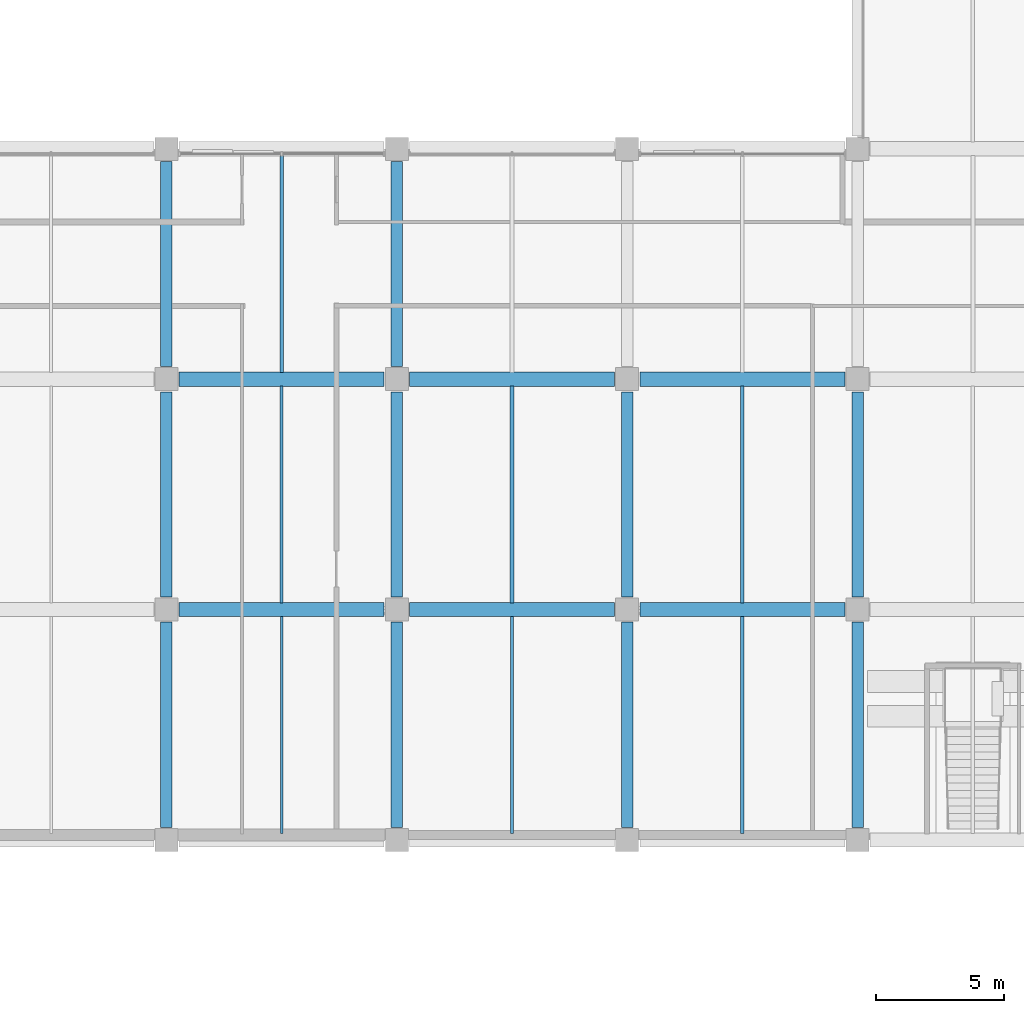
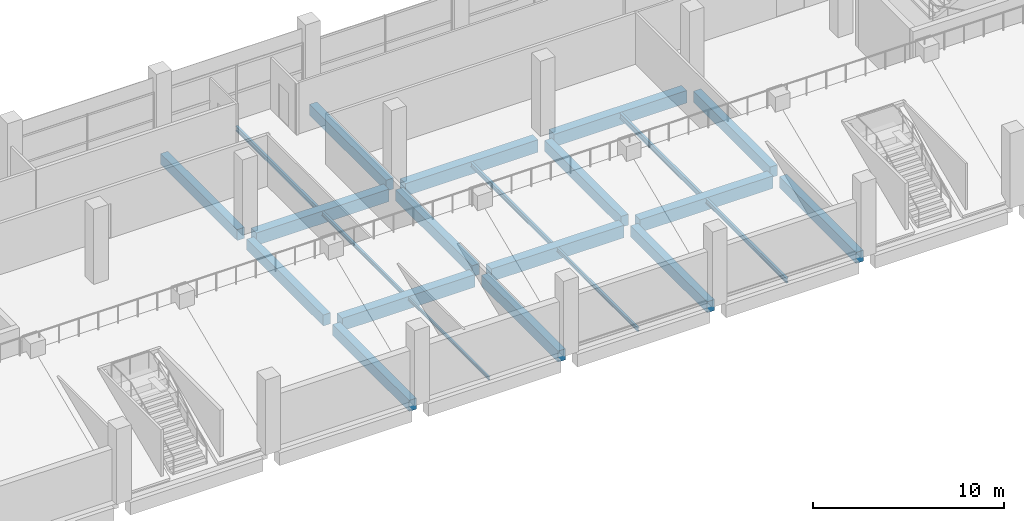
# One storey, part 33 of 100: 23 beams.
"""IFC4 building model written with IfcOpenShell, lengths in metres."""

import ifcopenshell
import ifcopenshell.guid

model = None  # the IFC model being written
_history = None  # IfcOwnerHistory: only IFC2X3 demands one
_inside = {}  # id of a spatial element -> (the spatial element, [elements in it])
_under = {}  # id of a project, library or spatial element -> (it, [spatial elements below it])
_declared = {}  # id of a project -> (the project, [libraries it declares])
_typed = {}  # id of a type object -> (the type object, [elements of that type])
_made_of = {}  # id of a material, layer set ... -> (it, [elements and type objects made of it])


def new_model(schema):
    """Start an empty IFC model of exactly this schema.

    Asked for "IFC4X3", IfcOpenShell would pick the latest addendum, in which some entities
    have other attributes; the version numbers below select the first issue.
    IFC2X3 requires an IfcOwnerHistory on every rooted entity: one is made here for all.
    """
    global model, _history
    if schema == "IFC4X3":
        model = ifcopenshell.file(schema_version=(4, 3, 0, 0))
    else:
        model = ifcopenshell.file(schema=schema)
    _inside.clear()
    _under.clear()
    _declared.clear()
    _typed.clear()
    _made_of.clear()
    _history = None
    if model.schema == "IFC2X3":
        org = make("IfcOrganization", Name="unknown")
        user = make(
            "IfcPersonAndOrganization",
            ThePerson=make("IfcPerson", FamilyName="unknown"),
            TheOrganization=org,
        )
        app = make(
            "IfcApplication",
            ApplicationDeveloper=org,
            Version="unknown",
            ApplicationFullName="unknown",
            ApplicationIdentifier="unknown",
        )
        _history = make(
            "IfcOwnerHistory",
            OwningUser=user,
            OwningApplication=app,
            ChangeAction="ADDED",
            CreationDate=0,
        )
    return model


def make(cls, **values):
    """One entity of the class cls with the attributes given. An attribute that is None is left unset."""
    return model.create_entity(
        cls, **{name: value for name, value in values.items() if value is not None}
    )


def rooted(cls, **values):
    """An entity with a GlobalId (a new one), such as an element, a storey or a relation."""
    return make(cls, GlobalId=ifcopenshell.guid.new(), OwnerHistory=_history, **values)


def si_unit(unit_type, name, prefix=None):
    """IfcSIUnit, for example si_unit("LENGTHUNIT", "METRE", prefix="MILLI")."""
    return make("IfcSIUnit", UnitType=unit_type, Prefix=prefix, Name=name)


def assignment(units):
    """IfcUnitAssignment: the units of a project."""
    return None if units is None else make("IfcUnitAssignment", Units=units)


def point(xyz):
    """IfcCartesianPoint."""
    return None if xyz is None else make("IfcCartesianPoint", Coordinates=xyz)


def direction(xyz):
    """IfcDirection."""
    return None if xyz is None else make("IfcDirection", DirectionRatios=xyz)


def frame(location, z_axis=None, x_axis=None):
    """IfcAxis2Placement3D, a coordinate frame: its origin and axes. An axis left out is left unset."""
    return make(
        "IfcAxis2Placement3D",
        Location=point(location),
        Axis=direction(z_axis),
        RefDirection=direction(x_axis),
    )


def frame_2d(location, x_axis=None):
    """IfcAxis2Placement2D, a coordinate frame in the plane: its origin and x axis."""
    return make(
        "IfcAxis2Placement2D", Location=point(location), RefDirection=direction(x_axis)
    )


def origin():
    """The frame at (0, 0, 0) with its axes left unset."""
    return frame((0.0, 0.0, 0.0))


def origin_2d():
    """The frame at (0, 0) in the plane with its x axis left unset."""
    return frame_2d((0.0, 0.0))


def place(relative_to, where):
    """IfcLocalPlacement: puts the frame where relative to a parent placement (None: the world)."""
    return make(
        "IfcLocalPlacement", PlacementRelTo=relative_to, RelativePlacement=where
    )


def context(
    kind, dimensions, precision=None, world=None, true_north=None, identifier=None
):
    """IfcGeometricRepresentationContext, for example the 3D "Model" context."""
    return make(
        "IfcGeometricRepresentationContext",
        ContextIdentifier=identifier,
        ContextType=kind,
        CoordinateSpaceDimension=dimensions,
        Precision=precision,
        WorldCoordinateSystem=world,
        TrueNorth=true_north,
    )


def subcontext(parent, identifier, kind, view, scale=None):
    """IfcGeometricRepresentationSubContext, for example "Body" below "Model"."""
    return make(
        "IfcGeometricRepresentationSubContext",
        ContextIdentifier=identifier,
        ContextType=kind,
        ParentContext=parent,
        TargetScale=scale,
        TargetView=view,
    )


def project(units=None, contexts=None):
    """IfcProject with its units and contexts."""
    return rooted(
        "IfcProject",
        Name="project",
        RepresentationContexts=contexts,
        UnitsInContext=assignment(units),
    )


def spatial(cls, under=None, at=None, **own):
    """A site, building, storey or space (cls), placed at a placement, below another one or the project."""
    s = rooted(cls, ObjectPlacement=at, **own)
    if under is not None:
        _under.setdefault(under.id(), (under, []))[1].append(s)
    return s


def profile(cls, at=None, kind="AREA", **sizes):
    """A parametric profile (cls). Its sizes go by their IFC names, for example OverallWidth=200.0."""
    return make(cls, ProfileType=kind, Position=at, **sizes)


def rectangle(**sizes):
    """IfcRectangleProfileDef."""
    return profile("IfcRectangleProfileDef", **sizes)


def i_section(**sizes):
    """IfcIShapeProfileDef."""
    return profile("IfcIShapeProfileDef", **sizes)


def extrude(swept, where, along, depth):
    """IfcExtrudedAreaSolid: the profile swept, set in the frame where, extruded along a direction by depth."""
    return make(
        "IfcExtrudedAreaSolid",
        SweptArea=swept,
        Position=where,
        ExtrudedDirection=direction(along),
        Depth=depth,
    )


def shape(context_of_items, identifier, shape_type, items):
    """IfcShapeRepresentation: the items that make up one representation, for example the "Body"."""
    return make(
        "IfcShapeRepresentation",
        ContextOfItems=context_of_items,
        RepresentationIdentifier=identifier,
        RepresentationType=shape_type,
        Items=items,
    )


def material(Name=None, Category=None):
    """IfcMaterial."""
    return make("IfcMaterial", Name=Name, Category=Category)


def material_profile(
    of_material, cross_section, Name=None, Category=None, Priority=None
):
    """IfcMaterialProfile: a cross section and its material."""
    return make(
        "IfcMaterialProfile",
        Name=Name,
        Material=of_material,
        Profile=cross_section,
        Priority=Priority,
        Category=Category,
    )


def profile_set(profiles, Name=None, composite=None):
    """IfcMaterialProfileSet."""
    return make(
        "IfcMaterialProfileSet",
        Name=Name,
        MaterialProfiles=profiles,
        CompositeProfile=composite,
    )


def made_of(thing, what):
    """Note that an element or type object is made of a material, layer set ...; save() writes the relation."""
    if what is not None:
        _made_of.setdefault(what.id(), (what, []))[1].append(thing)
    return thing


def type_object(cls, material=None, **own):
    """A type object (cls), such as IfcWallType, which elements share."""
    return made_of(rooted(cls, **own), material)


def element(
    cls,
    number,
    at=None,
    inside=None,
    cuts=None,
    type_object=None,
    material=None,
    context=None,
    identifier="Body",
    shape_type=None,
    held_by="IfcProductDefinitionShape",
    body=None,
    shapes=None,
    **own,
):
    """One element of the class cls, such as IfcWall. Its Tag is "e" and its number.

    at: its placement. inside: the storey or other place that contains it. cuts: it is an
    opening in that element (IfcRelVoidsElement). A single representation is given by context,
    identifier, shape_type and body (its items); several are given by shapes. held_by: the class
    of the entity that holds the representations. save() writes the other relations.
    """
    e = rooted(cls, Tag="e%d" % number, ObjectPlacement=at, **own)
    if body is not None:
        shapes = [shape(context, identifier, shape_type, body)]
    if shapes is not None:
        e.Representation = make(held_by, Representations=shapes)
    if inside is not None:
        _inside.setdefault(inside.id(), (inside, []))[1].append(e)
    if cuts is not None:
        rooted(
            "IfcRelVoidsElement", RelatingBuildingElement=cuts, RelatedOpeningElement=e
        )
    if type_object is not None:
        _typed.setdefault(type_object.id(), (type_object, []))[1].append(e)
    return made_of(e, material)


def aggregate(whole, parts):
    """IfcRelAggregates: a whole, such as a stair, and the parts it consists of."""
    return rooted("IfcRelAggregates", RelatingObject=whole, RelatedObjects=parts)


def save(model, path):
    """Write the relations noted so far, then the file.

    IfcRelAggregates (storeys below a building ...), IfcRelContainedInSpatialStructure (elements
    in a storey), IfcRelDefinesByType, IfcRelAssociatesMaterial and IfcRelDeclares: one each for
    every whole, place, type object, material and project.
    """
    for whole, parts in _under.values():
        aggregate(whole, parts)
    for where, things in _inside.values():
        rooted(
            "IfcRelContainedInSpatialStructure",
            RelatedElements=things,
            RelatingStructure=where,
        )
    for kind, things in _typed.values():
        rooted("IfcRelDefinesByType", RelatedObjects=things, RelatingType=kind)
    for what, things in _made_of.values():
        rooted("IfcRelAssociatesMaterial", RelatedObjects=things, RelatingMaterial=what)
    for by, libraries in _declared.values():
        rooted("IfcRelDeclares", RelatingContext=by, RelatedDefinitions=libraries)
    model.write(path)


model = new_model("IFC4")

# Units and contexts
model_context = context("Model", 3, precision=1e-05, world=origin(), true_north=direction((0.0, 1.0)))
body_context = subcontext(model_context, "Body", "Model", "MODEL_VIEW")
ifc_project = project(units=[si_unit("LENGTHUNIT", "METRE"), si_unit("AREAUNIT", "SQUARE_METRE"), si_unit("VOLUMEUNIT", "CUBIC_METRE"), si_unit("PLANEANGLEUNIT", "RADIAN"), si_unit("MASSUNIT", "GRAM", prefix="KILO"), si_unit("THERMODYNAMICTEMPERATUREUNIT", "KELVIN"), si_unit("POWERUNIT", "WATT")], contexts=[model_context])

# Site, building, storey
site_placement = place(None, origin())
site = spatial("IfcSite", under=ifc_project, at=site_placement, CompositionType="ELEMENT")
building_placement = place(site_placement, origin())
building = spatial("IfcBuilding", under=site, at=building_placement, Name="Sindhuravela Promenade Stadium", CompositionType="ELEMENT")
storey_placement = place(building_placement, frame((0.0, 0.0, 4.800048828125)))
storey = spatial("IfcBuildingStorey", under=building, at=storey_placement, Name="L01", CompositionType="ELEMENT", Elevation=4.800048828125)

# Beams
ifc_material_1 = material(Name="Concrete M40", Category="concrete")
ifc_material_profile_1 = material_profile(ifc_material_1, rectangle(XDim=0.449951171875, YDim=0.699951171875, at=origin_2d()), Name="RC 450x700")
ifc_profile_set_1 = profile_set([ifc_material_profile_1], Name="Concrete M40")
beam_type_1 = type_object("IfcBeamType", Name="RC-BM-450x700", PredefinedType="BEAM", material=ifc_profile_set_1)
for number, where, z_axis, x_axis, name in (
    (1, (99.0, 126.489990234375, -0.650146484375), (0.0, 1.0, 0.0), (-1.0, 0.0, 0.0), "Primary beam GB07 NORTH L01"),
    (2, (99.0, 135.489990234375, -0.650146484375), (0.0, 1.0, 0.0), (-1.0, 0.0, 0.0), "Primary beam GB07 NORTH L01"),
    (3, (99.0, 144.489990234375, -0.650146484375), (0.0, 1.0, 0.0), (-1.0, 0.0, 0.0), "Primary beam GB07 NORTH L01"),
    (4, (108.0, 126.489990234375, -0.650146484375), (0.0, 1.0, 0.0), (-1.0, 0.0, 0.0), "Primary beam GB07 NORTH L01"),
    (5, (108.0, 135.489990234375, -0.650146484375), (0.0, 1.0, 0.0), (-1.0, 0.0, 0.0), "Primary beam GB07 NORTH L01"),
    (6, (108.0, 144.489990234375, -0.650146484375), (0.0, 1.0, 0.0), (-1.0, 0.0, 0.0), "Primary beam GB07 NORTH L01"),
    (7, (117.0, 126.489990234375, -0.650146484375), (0.0, 1.0, 0.0), (-1.0, 0.0, 0.0), "Primary beam GB07 NORTH L01"),
    (8, (117.0, 135.489990234375, -0.650146484375), (0.0, 1.0, 0.0), (-1.0, 0.0, 0.0), "Primary beam GB07 NORTH L01"),
    (9, (126.0, 126.489990234375, -0.650146484375), (0.0, 1.0, 0.0), (-1.0, 0.0, 0.0), "Primary beam GB07 NORTH L01"),
    (10, (126.0, 135.489990234375, -0.650146484375), (0.0, 1.0, 0.0), (-1.0, 0.0, 0.0), "Primary beam GB07 NORTH L01"),
):
    element("IfcBeam", number, at=place(storey_placement, frame(where, z_axis=z_axis, x_axis=x_axis)), inside=storey, type_object=beam_type_1, Name=name, PredefinedType="BEAM", context=body_context, shape_type="SweptSolid", body=[
        extrude(rectangle(XDim=0.449951171875, YDim=0.699951171875, at=origin_2d()), origin(), (0.0, 0.0, 1.0), 8.02001953125),
    ])
ifc_material_profile_2 = material_profile(ifc_material_1, rectangle(XDim=0.550048828125, YDim=0.800048828125, at=origin_2d()), Name="RC 550x800")
ifc_profile_set_2 = profile_set([ifc_material_profile_2], Name="Concrete M40")
beam_type_2 = type_object("IfcBeamType", Name="RC-BM-550x800", PredefinedType="BEAM", material=ifc_profile_set_2)
for number, where, z_axis, x_axis, name in (
    (11, (99.489990234375, 135.0, -0.699951171875), (1.0, 0.0, 0.0), (0.0, 1.0, 0.0), "Primary girder GB05 NORTH L01"),
    (12, (108.489990234375, 135.0, -0.699951171875), (1.0, 0.0, 0.0), (0.0, 1.0, 0.0), "Primary girder GB05 NORTH L01"),
    (13, (117.489990234375, 135.0, -0.699951171875), (1.0, 0.0, 0.0), (0.0, 1.0, 0.0), "Primary girder GB05 NORTH L01"),
    (14, (99.489990234375, 144.0, -0.699951171875), (1.0, 0.0, 0.0), (0.0, 1.0, 0.0), "Primary girder GB05 NORTH L01"),
    (15, (108.489990234375, 144.0, -0.699951171875), (1.0, 0.0, 0.0), (0.0, 1.0, 0.0), "Primary girder GB05 NORTH L01"),
    (16, (117.489990234375, 144.0, -0.699951171875), (1.0, 0.0, 0.0), (0.0, 1.0, 0.0), "Primary girder GB05 NORTH L01"),
):
    element("IfcBeam", number, at=place(storey_placement, frame(where, z_axis=z_axis, x_axis=x_axis)), inside=storey, type_object=beam_type_2, Name=name, PredefinedType="BEAM", context=body_context, shape_type="SweptSolid", body=[
        extrude(rectangle(XDim=0.550048828125, YDim=0.800048828125, at=origin_2d()), origin(), (0.0, 0.0, 1.0), 8.02001953125),
    ])
ifc_material_2 = material(Name="Steel E350 (IS 2062 E350BR)", Category="steel")
ifc_material_profile_3 = material_profile(ifc_material_2, i_section(OverallWidth=0.10009765625, OverallDepth=0.199951171875, WebThickness=0.005615234375, FlangeThickness=0.0107421875, FilletRadius=0.010986328125, at=origin_2d()), Name="ISMB 200")
ifc_profile_set_3 = profile_set([ifc_material_profile_3], Name="Steel E350 (IS 2062 E350BR)")
beam_type_3 = type_object("IfcBeamType", Name="ST-BM-MB200", PredefinedType="JOIST", material=ifc_profile_set_3)
beam_1_placement = place(storey_placement, frame((103.5, 126.264892578125, -0.400146484375), z_axis=(0.0, 1.0, 0.0), x_axis=(-1.0, 0.0, 0.0)))
element("IfcBeam", 17, at=beam_1_placement, inside=storey, type_object=beam_type_3, Name="Secondary floor joist SB01 NORTH L01", PredefinedType="JOIST", context=body_context, shape_type="SweptSolid", body=[
    extrude(i_section(OverallWidth=0.10009765625, OverallDepth=0.199951171875, WebThickness=0.005615234375, FlangeThickness=0.0107421875, FilletRadius=0.010986328125, at=origin_2d()), origin(), (0.0, 0.0, 1.0), 8.47021484375),
])
ifc_material_profile_4 = material_profile(ifc_material_2, i_section(OverallWidth=0.125, OverallDepth=0.25, WebThickness=0.0068359375, FlangeThickness=0.012451171875, FilletRadius=0.012939453125, at=origin_2d()), Name="ISMB 250")
ifc_profile_set_4 = profile_set([ifc_material_profile_4], Name="Steel E350 (IS 2062 E350BR)")
beam_type_4 = type_object("IfcBeamType", Name="ST-BM-MB250", PredefinedType="JOIST", material=ifc_profile_set_4)
for number, where, z_axis, x_axis, name in (
    (18, (112.5, 126.264892578125, -0.425048828125), (0.0, 1.0, 0.0), (-1.0, 0.0, 0.0), "Secondary floor joist SB02 NORTH L01"),
    (19, (103.5, 135.264892578125, -0.425048828125), (0.0, 1.0, 0.0), (-1.0, 0.0, 0.0), "Secondary floor joist SB02 NORTH L01"),
):
    element("IfcBeam", number, at=place(storey_placement, frame(where, z_axis=z_axis, x_axis=x_axis)), inside=storey, type_object=beam_type_4, Name=name, PredefinedType="JOIST", context=body_context, shape_type="SweptSolid", body=[
        extrude(i_section(OverallWidth=0.125, OverallDepth=0.25, WebThickness=0.0068359375, FlangeThickness=0.012451171875, FilletRadius=0.012939453125, at=origin_2d()), origin(), (0.0, 0.0, 1.0), 8.47021484375),
    ])
ifc_material_profile_5 = material_profile(ifc_material_2, i_section(OverallWidth=0.139892578125, OverallDepth=0.300048828125, WebThickness=0.0078125, FlangeThickness=0.01318359375, FilletRadius=0.013916015625, at=origin_2d()), Name="ISMB 300")
ifc_profile_set_5 = profile_set([ifc_material_profile_5], Name="Steel E350 (IS 2062 E350BR)")
beam_type_5 = type_object("IfcBeamType", Name="ST-BM-MB300", PredefinedType="JOIST", material=ifc_profile_set_5)
for number, where, z_axis, x_axis, name in (
    (20, (121.5, 126.264892578125, -0.449951171875), (0.0, 1.0, 0.0), (-1.0, 0.0, 0.0), "Secondary floor joist SB03 NORTH L01"),
    (21, (112.5, 135.264892578125, -0.449951171875), (0.0, 1.0, 0.0), (-1.0, 0.0, 0.0), "Secondary floor joist SB03 NORTH L01"),
    (22, (103.5, 144.264892578125, -0.449951171875), (0.0, 1.0, 0.0), (-1.0, 0.0, 0.0), "Secondary floor joist SB03 NORTH L01"),
):
    element("IfcBeam", number, at=place(storey_placement, frame(where, z_axis=z_axis, x_axis=x_axis)), inside=storey, type_object=beam_type_5, Name=name, PredefinedType="JOIST", context=body_context, shape_type="SweptSolid", body=[
        extrude(i_section(OverallWidth=0.139892578125, OverallDepth=0.300048828125, WebThickness=0.0078125, FlangeThickness=0.01318359375, FilletRadius=0.013916015625, at=origin_2d()), origin(), (0.0, 0.0, 1.0), 8.47021484375),
    ])
ifc_material_profile_6 = material_profile(ifc_material_2, i_section(OverallWidth=0.139892578125, OverallDepth=0.35009765625, WebThickness=0.008056640625, FlangeThickness=0.01416015625, FilletRadius=0.013916015625, at=origin_2d()), Name="ISMB 350")
ifc_profile_set_6 = profile_set([ifc_material_profile_6], Name="Steel E350 (IS 2062 E350BR)")
beam_type_6 = type_object("IfcBeamType", Name="ST-BM-MB350", PredefinedType="JOIST", material=ifc_profile_set_6)
beam_2_placement = place(storey_placement, frame((121.5, 135.264892578125, -0.47509765625), z_axis=(0.0, 1.0, 0.0), x_axis=(-1.0, 0.0, 0.0)))
element("IfcBeam", 23, at=beam_2_placement, inside=storey, type_object=beam_type_6, Name="Secondary floor joist SB04 NORTH L01", PredefinedType="JOIST", context=body_context, shape_type="SweptSolid", body=[
    extrude(i_section(OverallWidth=0.139892578125, OverallDepth=0.35009765625, WebThickness=0.008056640625, FlangeThickness=0.01416015625, FilletRadius=0.013916015625, at=origin_2d()), origin(), (0.0, 0.0, 1.0), 8.47021484375),
])

save(model, "model.ifc")
